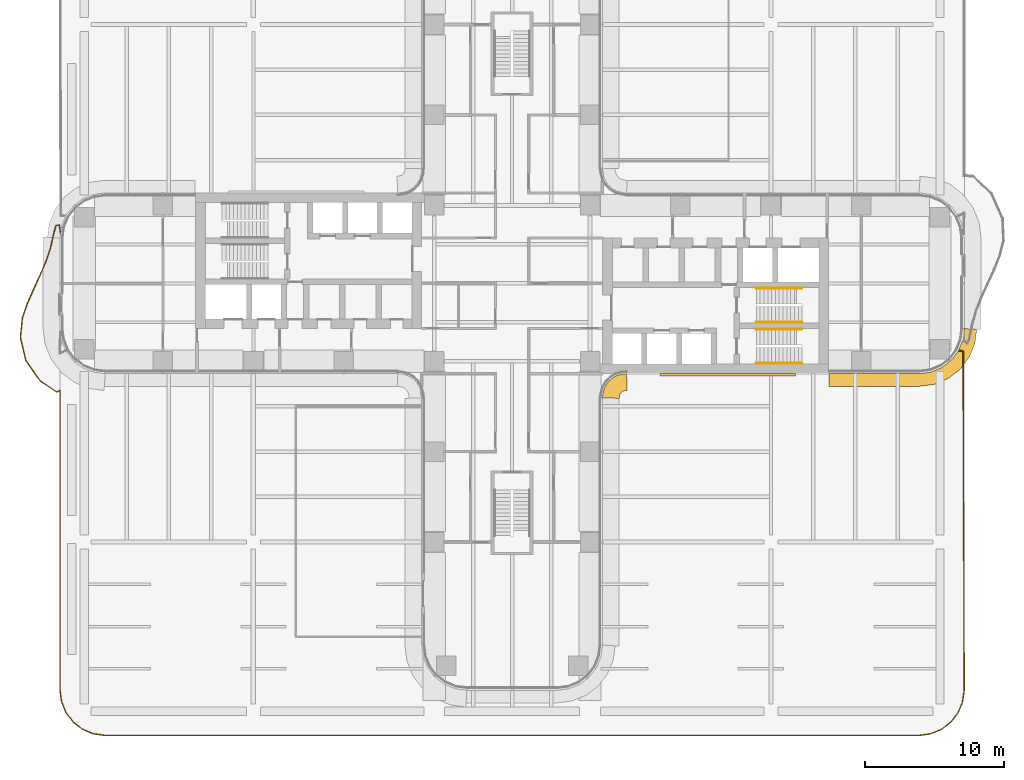
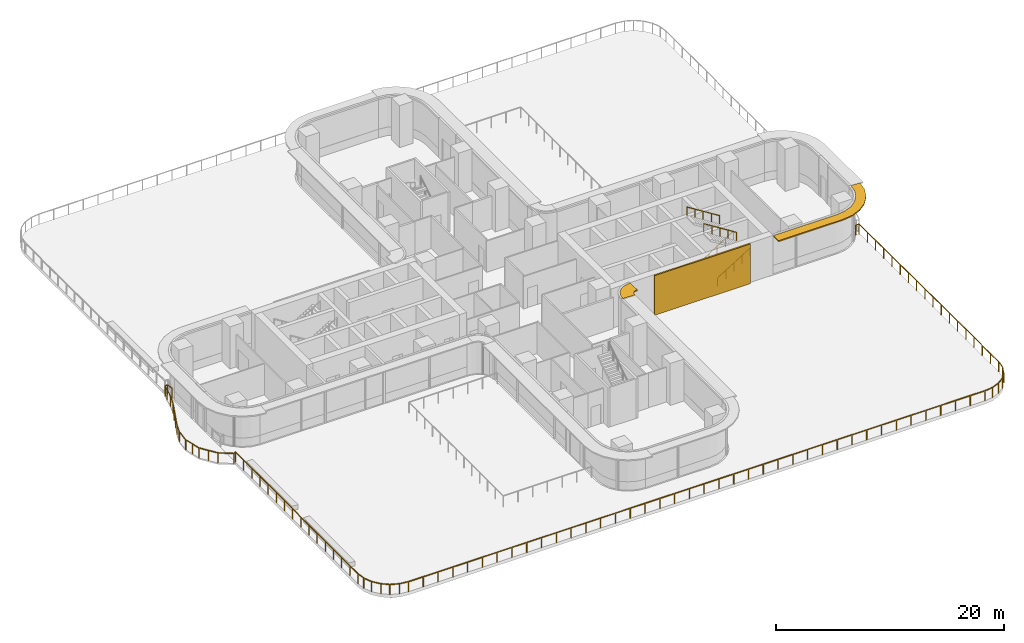
# One storey, part 26 of 29: 5 railings, 2 shading devices, 1 covering.
"""IFC4 building model written with IfcOpenShell, lengths in metres."""

from ifc_helpers import new_model, si_unit, direction, frame, origin, origin_2d, place, context, subcontext, project, spatial, polyline, rectangle, circle, outline, extrude, source, transform, mapped, material, layer, layer_set, type_object, element, save


model = new_model("IFC4")

# Units and contexts
model_context = context("Model", 3, precision=1e-05, world=origin(), true_north=direction((0.0, 1.0)))
body_context = subcontext(model_context, "Body", "Model", "MODEL_VIEW")
ifc_project = project(units=[si_unit("LENGTHUNIT", "METRE"), si_unit("AREAUNIT", "SQUARE_METRE"), si_unit("VOLUMEUNIT", "CUBIC_METRE"), si_unit("PLANEANGLEUNIT", "RADIAN"), si_unit("MASSUNIT", "GRAM", prefix="KILO")], contexts=[model_context])

# Site, building, storey
site_placement = place(None, origin())
site = spatial("IfcSite", under=ifc_project, at=site_placement, CompositionType="ELEMENT")
building_placement = place(site_placement, origin())
building = spatial("IfcBuilding", under=site, at=building_placement, Name="Trellis Farm Tower", CompositionType="ELEMENT")
storey_placement = place(building_placement, frame((0.0, 0.0, 34.0)))
storey = spatial("IfcBuildingStorey", under=building, at=storey_placement, Name="L06", CompositionType="ELEMENT", Elevation=34.0)

# Railings
ifc_material_1 = material(Name="Stainless steel 316", Category="steel")
railing_type_1 = type_object("IfcRailingType", Name="BALUSTRADE GUARD 1100", PredefinedType="GUARDRAIL", material=ifc_material_1)
railing_placement = place(storey_placement, frame((32.078369140625, -4.841552734375, 0.0)))
element("IfcRailing", 1, at=railing_placement, inside=storey, type_object=railing_type_1, Name="GD1 BAL-3", PredefinedType="GUARDRAIL", context=body_context, shape_type="SweptSolid", body=[
    extrude(rectangle(XDim=0.050048828125, YDim=0.050048828125, at=origin_2d()), frame((0.0, 0.0, 1.0751953125), z_axis=(0.998595991784, -0.052972117127, 0.0), x_axis=(0.052972117127, 0.998595991784, 0.0)), (0.0, 0.0, 1.0), 0.341064453125),
    extrude(rectangle(XDim=0.050048828125, YDim=0.050048828125, at=origin_2d()), frame((0.340576171875, -0.01806640625, 1.0751953125), z_axis=(0.003325435357, -0.999994470725, 0.0), x_axis=(0.999994470725, 0.003325435357, 0.0)), (0.0, 0.0, 1.0), 24.374267578125),
    extrude(rectangle(XDim=0.050048828125, YDim=0.050048828125, at=origin_2d()), frame((0.421630859375, -24.39208984375, 1.0751953125), z_axis=(-0.137531262137, -0.990497426516, 0.0), x_axis=(0.990497426516, -0.137531262137, 0.0)), (0.0, 0.0, 1.0), 0.896484375),
    extrude(rectangle(XDim=0.050048828125, YDim=0.050048828125, at=origin_2d()), frame((0.29833984375, -25.280029296875, 1.0751953125), z_axis=(-0.392110431343, -0.919918153768, 0.0), x_axis=(0.919918153768, -0.392110431343, 0.0)), (0.0, 0.0, 1.0), 0.847412109375),
    extrude(rectangle(XDim=0.050048828125, YDim=0.050048828125, at=origin_2d()), frame((-0.033935546875, -26.0595703125, 1.0751953125), z_axis=(-0.616650070044, -0.78723737914, 0.0), x_axis=(0.78723737914, -0.616650070044, 0.0)), (0.0, 0.0, 1.0), 0.84716796875),
    extrude(rectangle(XDim=0.050048828125, YDim=0.050048828125, at=origin_2d()), frame((-0.556396484375, -26.7265625, 1.0751953125), z_axis=(-0.799481118844, -0.600691219023, 0.0), x_axis=(0.600691219023, -0.799481118844, 0.0)), (0.0, 0.0, 1.0), 0.847412109375),
    extrude(rectangle(XDim=0.050048828125, YDim=0.050048828125, at=origin_2d()), frame((-1.23388671875, -27.235595703125, 1.0751953125), z_axis=(-0.927639628134, -0.373476532483, 0.0), x_axis=(0.373476532483, -0.927639628134, 0.0)), (0.0, 0.0, 1.0), 0.84716796875),
    extrude(rectangle(XDim=0.050048828125, YDim=0.050048828125, at=origin_2d()), frame((-2.019775390625, -27.552001953125, 1.0751953125), z_axis=(-0.991777866634, -0.12797133763, 0.0), x_axis=(0.12797133763, -0.991777866634, 0.0)), (0.0, 0.0, 1.0), 0.831787109375),
    extrude(rectangle(XDim=0.050048828125, YDim=0.050048828125, at=origin_2d()), frame((-2.8447265625, -27.658447265625, 1.0751953125), z_axis=(-0.999999999295, 3.7560253e-05, 0.0), x_axis=(-3.7560253e-05, -0.999999999295, 0.0)), (0.0, 0.0, 1.0), 58.499755859375),
    extrude(rectangle(XDim=0.050048828125, YDim=0.050048828125, at=origin_2d()), frame((-61.344482421875, -27.65625, 1.0751953125), z_axis=(-0.990129529827, 0.140155321574, 0.0), x_axis=(-0.140155321574, -0.990129529827, 0.0)), (0.0, 0.0, 1.0), 0.864013671875),
    extrude(rectangle(XDim=0.050048828125, YDim=0.050048828125, at=origin_2d()), frame((-62.199951171875, -27.53515625, 1.0751953125), z_axis=(-0.919918153768, 0.392110431343, 0.0), x_axis=(-0.392110431343, -0.919918153768, 0.0)), (0.0, 0.0, 1.0), 0.847412109375),
    extrude(rectangle(XDim=0.050048828125, YDim=0.050048828125, at=origin_2d()), frame((-62.9794921875, -27.202880859375, 1.0751953125), z_axis=(-0.793400430463, 0.608700054987, 0.0), x_axis=(-0.608700054987, -0.793400430463, 0.0)), (0.0, 0.0, 1.0), 0.782470703125),
    extrude(rectangle(XDim=0.050048828125, YDim=0.050048828125, at=origin_2d()), frame((-63.600341796875, -26.7265625, 1.0751953125), z_axis=(-0.608701247669, 0.793399515431, 0.0), x_axis=(-0.793399515431, -0.608701247669, 0.0)), (0.0, 0.0, 1.0), 0.912109375),
    extrude(rectangle(XDim=0.050048828125, YDim=0.050048828125, at=origin_2d()), frame((-64.155517578125, -26.0029296875, 1.0751953125), z_axis=(-0.373476532483, 0.927639628134, 0.0), x_axis=(-0.927639628134, -0.373476532483, 0.0)), (0.0, 0.0, 1.0), 0.84716796875),
    extrude(rectangle(XDim=0.050048828125, YDim=0.050048828125, at=origin_2d()), frame((-64.471923828125, -25.217041015625, 1.0751953125), z_axis=(-0.12797133763, 0.991777866634, 0.0), x_axis=(-0.991777866634, -0.12797133763, 0.0)), (0.0, 0.0, 1.0), 0.831787109375),
    extrude(rectangle(XDim=0.050048828125, YDim=0.050048828125, at=origin_2d()), frame((-64.578369140625, -24.39208984375, 1.0751953125), z_axis=(0.0, 1.0, 0.0), x_axis=(-1.0, 0.0, 0.0)), (0.0, 0.0, 1.0), 21.533447265625),
    extrude(rectangle(XDim=0.050048828125, YDim=0.050048828125, at=origin_2d()), frame((-64.578369140625, -2.858642578125, 1.0751953125), z_axis=(-0.899465763233, -0.436991236492, 0.0), x_axis=(0.436991236492, -0.899465763233, 0.0)), (0.0, 0.0, 1.0), 0.2587890625),
    extrude(rectangle(XDim=0.050048828125, YDim=0.050048828125, at=origin_2d()), frame((-64.81103515625, -2.9716796875, 1.0751953125), z_axis=(-0.834417948085, 0.551132187332, 0.0), x_axis=(-0.551132187332, -0.834417948085, 0.0)), (0.0, 0.0, 1.0), 1.4072265625),
    extrude(rectangle(XDim=0.050048828125, YDim=0.050048828125, at=origin_2d()), frame((-65.9853515625, -2.196044921875, 1.0751953125), z_axis=(-0.579537739556, 0.814945402116, 0.0), x_axis=(-0.814945402116, -0.579537739556, 0.0)), (0.0, 0.0, 1.0), 1.8076171875),
    extrude(rectangle(XDim=0.050048828125, YDim=0.050048828125, at=origin_2d()), frame((-67.032958984375, -0.722900390625, 1.0751953125), z_axis=(-0.228269361027, 0.973598017056, 0.0), x_axis=(-0.973598017056, -0.228269361027, 0.0)), (0.0, 0.0, 1.0), 1.71435546875),
    extrude(rectangle(XDim=0.050048828125, YDim=0.050048828125, at=origin_2d()), frame((-67.42431640625, 0.9462890625, 1.0751953125), z_axis=(0.097794867576, 0.995206593565, 0.0), x_axis=(-0.995206593565, 0.097794867576, 0.0)), (0.0, 0.0, 1.0), 1.400390625),
    extrude(rectangle(XDim=0.050048828125, YDim=0.050048828125, at=origin_2d()), frame((-67.287353515625, 2.340087890625, 1.0751953125), z_axis=(0.320734521289, 0.947169133182, 0.0), x_axis=(-0.947169133182, 0.320734521289, 0.0)), (0.0, 0.0, 1.0), 1.07177734375),
    extrude(rectangle(XDim=0.050048828125, YDim=0.050048828125, at=origin_2d()), frame((-66.943603515625, 3.355224609375, 1.0751953125), z_axis=(0.408032248625, 0.912967515349, 0.0), x_axis=(-0.912967515349, 0.408032248625, 0.0)), (0.0, 0.0, 1.0), 3.287841796875),
    extrude(rectangle(XDim=0.050048828125, YDim=0.050048828125, at=origin_2d()), frame((-65.60205078125, 6.35693359375, 1.0751953125), z_axis=(0.321574587761, 0.946884250849, 0.0), x_axis=(-0.946884250849, 0.321574587761, 0.0)), (0.0, 0.0, 1.0), 1.0537109375),
    extrude(rectangle(XDim=0.050048828125, YDim=0.050048828125, at=origin_2d()), frame((-65.26318359375, 7.354736328125, 1.0751953125), z_axis=(0.21777368267, 0.975999294639, 0.0), x_axis=(-0.975999294639, 0.21777368267, 0.0)), (0.0, 0.0, 1.0), 1.07275390625),
    extrude(rectangle(XDim=0.050048828125, YDim=0.050048828125, at=origin_2d()), frame((-65.029541015625, 8.40185546875, 1.0751953125), z_axis=(0.259682438219, 0.965694067125, 0.0), x_axis=(-0.965694067125, 0.259682438219, 0.0)), (0.0, 0.0, 1.0), 0.601806640625),
    extrude(rectangle(XDim=0.050048828125, YDim=0.050048828125, at=origin_2d()), frame((-64.873291015625, 8.98291015625, 1.0751953125), z_axis=(0.973922781385, 0.226879738845, 0.0), x_axis=(-0.226879738845, 0.973922781385, 0.0)), (0.0, 0.0, 1.0), 0.2646484375),
    extrude(rectangle(XDim=0.050048828125, YDim=0.050048828125, at=origin_2d()), frame((-64.615478515625, 9.04296875, 1.0751953125), z_axis=(0.117468691226, -0.993076586463, 0.0), x_axis=(0.993076586463, 0.117468691226, 0.0)), (0.0, 0.0, 1.0), 0.65478515625),
    extrude(rectangle(XDim=0.0400390625, YDim=0.0400390625, at=origin_2d()), origin(), (0.0, 0.0, 1.0), 1.050048828125),
    extrude(rectangle(XDim=0.0400390625, YDim=0.0400390625, at=origin_2d()), frame((0.340576171875, -0.01806640625, 0.0)), (0.0, 0.0, 1.0), 1.050048828125),
    extrude(rectangle(XDim=0.0400390625, YDim=0.0400390625, at=origin_2d()), frame((0.345458984375, -1.451904296875, 0.0)), (0.0, 0.0, 1.0), 1.050048828125),
    extrude(rectangle(XDim=0.0400390625, YDim=0.0400390625, at=origin_2d()), frame((0.35009765625, -2.885498046875, 0.0)), (0.0, 0.0, 1.0), 1.050048828125),
    extrude(rectangle(XDim=0.0400390625, YDim=0.0400390625, at=origin_2d()), frame((0.35498046875, -4.3193359375, 0.0)), (0.0, 0.0, 1.0), 1.050048828125),
    extrude(rectangle(XDim=0.0400390625, YDim=0.0400390625, at=origin_2d()), frame((0.359619140625, -5.753173828125, 0.0)), (0.0, 0.0, 1.0), 1.050048828125),
    extrude(rectangle(XDim=0.0400390625, YDim=0.0400390625, at=origin_2d()), frame((0.364501953125, -7.18701171875, 0.0)), (0.0, 0.0, 1.0), 1.050048828125),
    extrude(rectangle(XDim=0.0400390625, YDim=0.0400390625, at=origin_2d()), frame((0.369140625, -8.62060546875, 0.0)), (0.0, 0.0, 1.0), 1.050048828125),
    extrude(rectangle(XDim=0.0400390625, YDim=0.0400390625, at=origin_2d()), frame((0.3740234375, -10.054443359375, 0.0)), (0.0, 0.0, 1.0), 1.050048828125),
    extrude(rectangle(XDim=0.0400390625, YDim=0.0400390625, at=origin_2d()), frame((0.378662109375, -11.48828125, 0.0)), (0.0, 0.0, 1.0), 1.050048828125),
    extrude(rectangle(XDim=0.0400390625, YDim=0.0400390625, at=origin_2d()), frame((0.383544921875, -12.921875, 0.0)), (0.0, 0.0, 1.0), 1.050048828125),
    extrude(rectangle(XDim=0.0400390625, YDim=0.0400390625, at=origin_2d()), frame((0.38818359375, -14.355712890625, 0.0)), (0.0, 0.0, 1.0), 1.050048828125),
    extrude(rectangle(XDim=0.0400390625, YDim=0.0400390625, at=origin_2d()), frame((0.39306640625, -15.78955078125, 0.0)), (0.0, 0.0, 1.0), 1.050048828125),
    extrude(rectangle(XDim=0.0400390625, YDim=0.0400390625, at=origin_2d()), frame((0.397705078125, -17.22314453125, 0.0)), (0.0, 0.0, 1.0), 1.050048828125),
    extrude(rectangle(XDim=0.0400390625, YDim=0.0400390625, at=origin_2d()), frame((0.402587890625, -18.656982421875, 0.0)), (0.0, 0.0, 1.0), 1.050048828125),
    extrude(rectangle(XDim=0.0400390625, YDim=0.0400390625, at=origin_2d()), frame((0.4072265625, -20.0908203125, 0.0)), (0.0, 0.0, 1.0), 1.050048828125),
    extrude(rectangle(XDim=0.0400390625, YDim=0.0400390625, at=origin_2d()), frame((0.412109375, -21.524658203125, 0.0)), (0.0, 0.0, 1.0), 1.050048828125),
    extrude(rectangle(XDim=0.0400390625, YDim=0.0400390625, at=origin_2d()), frame((0.416748046875, -22.958251953125, 0.0)), (0.0, 0.0, 1.0), 1.050048828125),
    extrude(rectangle(XDim=0.0400390625, YDim=0.0400390625, at=origin_2d()), frame((0.421630859375, -24.39208984375, 0.0)), (0.0, 0.0, 1.0), 1.050048828125),
    extrude(rectangle(XDim=0.0400390625, YDim=0.0400390625, at=origin_2d()), frame((0.29833984375, -25.280029296875, 0.0)), (0.0, 0.0, 1.0), 1.050048828125),
    extrude(rectangle(XDim=0.0400390625, YDim=0.0400390625, at=origin_2d()), frame((-0.033935546875, -26.0595703125, 0.0)), (0.0, 0.0, 1.0), 1.050048828125),
    extrude(rectangle(XDim=0.0400390625, YDim=0.0400390625, at=origin_2d()), frame((-0.556396484375, -26.7265625, 0.0)), (0.0, 0.0, 1.0), 1.050048828125),
    extrude(rectangle(XDim=0.0400390625, YDim=0.0400390625, at=origin_2d()), frame((-1.23388671875, -27.235595703125, 0.0)), (0.0, 0.0, 1.0), 1.050048828125),
    extrude(rectangle(XDim=0.0400390625, YDim=0.0400390625, at=origin_2d()), frame((-2.019775390625, -27.552001953125, 0.0)), (0.0, 0.0, 1.0), 1.050048828125),
    extrude(rectangle(XDim=0.0400390625, YDim=0.0400390625, at=origin_2d()), frame((-2.8447265625, -27.658447265625, 0.0)), (0.0, 0.0, 1.0), 1.050048828125),
    extrude(rectangle(XDim=0.0400390625, YDim=0.0400390625, at=origin_2d()), frame((-4.3447265625, -27.658447265625, 0.0)), (0.0, 0.0, 1.0), 1.050048828125),
    extrude(rectangle(XDim=0.0400390625, YDim=0.0400390625, at=origin_2d()), frame((-5.8447265625, -27.658447265625, 0.0)), (0.0, 0.0, 1.0), 1.050048828125),
    extrude(rectangle(XDim=0.0400390625, YDim=0.0400390625, at=origin_2d()), frame((-7.3447265625, -27.658203125, 0.0)), (0.0, 0.0, 1.0), 1.050048828125),
    extrude(rectangle(XDim=0.0400390625, YDim=0.0400390625, at=origin_2d()), frame((-8.8447265625, -27.658203125, 0.0)), (0.0, 0.0, 1.0), 1.050048828125),
    extrude(rectangle(XDim=0.0400390625, YDim=0.0400390625, at=origin_2d()), frame((-10.3447265625, -27.658203125, 0.0)), (0.0, 0.0, 1.0), 1.050048828125),
    extrude(rectangle(XDim=0.0400390625, YDim=0.0400390625, at=origin_2d()), frame((-11.8447265625, -27.658203125, 0.0)), (0.0, 0.0, 1.0), 1.050048828125),
    extrude(rectangle(XDim=0.0400390625, YDim=0.0400390625, at=origin_2d()), frame((-13.3447265625, -27.657958984375, 0.0)), (0.0, 0.0, 1.0), 1.050048828125),
    extrude(rectangle(XDim=0.0400390625, YDim=0.0400390625, at=origin_2d()), frame((-14.8447265625, -27.657958984375, 0.0)), (0.0, 0.0, 1.0), 1.050048828125),
    extrude(rectangle(XDim=0.0400390625, YDim=0.0400390625, at=origin_2d()), frame((-16.3447265625, -27.657958984375, 0.0)), (0.0, 0.0, 1.0), 1.050048828125),
    extrude(rectangle(XDim=0.0400390625, YDim=0.0400390625, at=origin_2d()), frame((-17.8447265625, -27.657958984375, 0.0)), (0.0, 0.0, 1.0), 1.050048828125),
    extrude(rectangle(XDim=0.0400390625, YDim=0.0400390625, at=origin_2d()), frame((-19.3447265625, -27.65771484375, 0.0)), (0.0, 0.0, 1.0), 1.050048828125),
    extrude(rectangle(XDim=0.0400390625, YDim=0.0400390625, at=origin_2d()), frame((-20.8447265625, -27.65771484375, 0.0)), (0.0, 0.0, 1.0), 1.050048828125),
    extrude(rectangle(XDim=0.0400390625, YDim=0.0400390625, at=origin_2d()), frame((-22.3447265625, -27.65771484375, 0.0)), (0.0, 0.0, 1.0), 1.050048828125),
    extrude(rectangle(XDim=0.0400390625, YDim=0.0400390625, at=origin_2d()), frame((-23.8447265625, -27.65771484375, 0.0)), (0.0, 0.0, 1.0), 1.050048828125),
    extrude(rectangle(XDim=0.0400390625, YDim=0.0400390625, at=origin_2d()), frame((-25.3447265625, -27.65771484375, 0.0)), (0.0, 0.0, 1.0), 1.050048828125),
    extrude(rectangle(XDim=0.0400390625, YDim=0.0400390625, at=origin_2d()), frame((-26.8447265625, -27.657470703125, 0.0)), (0.0, 0.0, 1.0), 1.050048828125),
    extrude(rectangle(XDim=0.0400390625, YDim=0.0400390625, at=origin_2d()), frame((-28.3447265625, -27.657470703125, 0.0)), (0.0, 0.0, 1.0), 1.050048828125),
    extrude(rectangle(XDim=0.0400390625, YDim=0.0400390625, at=origin_2d()), frame((-29.8447265625, -27.657470703125, 0.0)), (0.0, 0.0, 1.0), 1.050048828125),
    extrude(rectangle(XDim=0.0400390625, YDim=0.0400390625, at=origin_2d()), frame((-31.3447265625, -27.657470703125, 0.0)), (0.0, 0.0, 1.0), 1.050048828125),
    extrude(rectangle(XDim=0.0400390625, YDim=0.0400390625, at=origin_2d()), frame((-32.844482421875, -27.6572265625, 0.0)), (0.0, 0.0, 1.0), 1.050048828125),
    extrude(rectangle(XDim=0.0400390625, YDim=0.0400390625, at=origin_2d()), frame((-34.344482421875, -27.6572265625, 0.0)), (0.0, 0.0, 1.0), 1.050048828125),
    extrude(rectangle(XDim=0.0400390625, YDim=0.0400390625, at=origin_2d()), frame((-35.844482421875, -27.6572265625, 0.0)), (0.0, 0.0, 1.0), 1.050048828125),
    extrude(rectangle(XDim=0.0400390625, YDim=0.0400390625, at=origin_2d()), frame((-37.344482421875, -27.6572265625, 0.0)), (0.0, 0.0, 1.0), 1.050048828125),
    extrude(rectangle(XDim=0.0400390625, YDim=0.0400390625, at=origin_2d()), frame((-38.844482421875, -27.656982421875, 0.0)), (0.0, 0.0, 1.0), 1.050048828125),
    extrude(rectangle(XDim=0.0400390625, YDim=0.0400390625, at=origin_2d()), frame((-40.344482421875, -27.656982421875, 0.0)), (0.0, 0.0, 1.0), 1.050048828125),
    extrude(rectangle(XDim=0.0400390625, YDim=0.0400390625, at=origin_2d()), frame((-41.844482421875, -27.656982421875, 0.0)), (0.0, 0.0, 1.0), 1.050048828125),
    extrude(rectangle(XDim=0.0400390625, YDim=0.0400390625, at=origin_2d()), frame((-43.344482421875, -27.656982421875, 0.0)), (0.0, 0.0, 1.0), 1.050048828125),
    extrude(rectangle(XDim=0.0400390625, YDim=0.0400390625, at=origin_2d()), frame((-44.844482421875, -27.656982421875, 0.0)), (0.0, 0.0, 1.0), 1.050048828125),
    extrude(rectangle(XDim=0.0400390625, YDim=0.0400390625, at=origin_2d()), frame((-46.344482421875, -27.65673828125, 0.0)), (0.0, 0.0, 1.0), 1.050048828125),
    extrude(rectangle(XDim=0.0400390625, YDim=0.0400390625, at=origin_2d()), frame((-47.844482421875, -27.65673828125, 0.0)), (0.0, 0.0, 1.0), 1.050048828125),
    extrude(rectangle(XDim=0.0400390625, YDim=0.0400390625, at=origin_2d()), frame((-49.344482421875, -27.65673828125, 0.0)), (0.0, 0.0, 1.0), 1.050048828125),
    extrude(rectangle(XDim=0.0400390625, YDim=0.0400390625, at=origin_2d()), frame((-50.844482421875, -27.65673828125, 0.0)), (0.0, 0.0, 1.0), 1.050048828125),
    extrude(rectangle(XDim=0.0400390625, YDim=0.0400390625, at=origin_2d()), frame((-52.344482421875, -27.656494140625, 0.0)), (0.0, 0.0, 1.0), 1.050048828125),
    extrude(rectangle(XDim=0.0400390625, YDim=0.0400390625, at=origin_2d()), frame((-53.844482421875, -27.656494140625, 0.0)), (0.0, 0.0, 1.0), 1.050048828125),
    extrude(rectangle(XDim=0.0400390625, YDim=0.0400390625, at=origin_2d()), frame((-55.344482421875, -27.656494140625, 0.0)), (0.0, 0.0, 1.0), 1.050048828125),
    extrude(rectangle(XDim=0.0400390625, YDim=0.0400390625, at=origin_2d()), frame((-56.844482421875, -27.656494140625, 0.0)), (0.0, 0.0, 1.0), 1.050048828125),
    extrude(rectangle(XDim=0.0400390625, YDim=0.0400390625, at=origin_2d()), frame((-58.344482421875, -27.65625, 0.0)), (0.0, 0.0, 1.0), 1.050048828125),
    extrude(rectangle(XDim=0.0400390625, YDim=0.0400390625, at=origin_2d()), frame((-59.844482421875, -27.65625, 0.0)), (0.0, 0.0, 1.0), 1.050048828125),
    extrude(rectangle(XDim=0.0400390625, YDim=0.0400390625, at=origin_2d()), frame((-61.344482421875, -27.65625, 0.0)), (0.0, 0.0, 1.0), 1.050048828125),
    extrude(rectangle(XDim=0.0400390625, YDim=0.0400390625, at=origin_2d()), frame((-62.199951171875, -27.53515625, 0.0)), (0.0, 0.0, 1.0), 1.050048828125),
    extrude(rectangle(XDim=0.0400390625, YDim=0.0400390625, at=origin_2d()), frame((-62.9794921875, -27.202880859375, 0.0)), (0.0, 0.0, 1.0), 1.050048828125),
    extrude(rectangle(XDim=0.0400390625, YDim=0.0400390625, at=origin_2d()), frame((-63.600341796875, -26.7265625, 0.0)), (0.0, 0.0, 1.0), 1.050048828125),
    extrude(rectangle(XDim=0.0400390625, YDim=0.0400390625, at=origin_2d()), frame((-64.155517578125, -26.0029296875, 0.0)), (0.0, 0.0, 1.0), 1.050048828125),
    extrude(rectangle(XDim=0.0400390625, YDim=0.0400390625, at=origin_2d()), frame((-64.471923828125, -25.217041015625, 0.0)), (0.0, 0.0, 1.0), 1.050048828125),
    extrude(rectangle(XDim=0.0400390625, YDim=0.0400390625, at=origin_2d()), frame((-64.578369140625, -24.39208984375, 0.0)), (0.0, 0.0, 1.0), 1.050048828125),
    extrude(rectangle(XDim=0.0400390625, YDim=0.0400390625, at=origin_2d()), frame((-64.578369140625, -22.95654296875, 0.0)), (0.0, 0.0, 1.0), 1.050048828125),
    extrude(rectangle(XDim=0.0400390625, YDim=0.0400390625, at=origin_2d()), frame((-64.578369140625, -21.52099609375, 0.0)), (0.0, 0.0, 1.0), 1.050048828125),
    extrude(rectangle(XDim=0.0400390625, YDim=0.0400390625, at=origin_2d()), frame((-64.578369140625, -20.08544921875, 0.0)), (0.0, 0.0, 1.0), 1.050048828125),
    extrude(rectangle(XDim=0.0400390625, YDim=0.0400390625, at=origin_2d()), frame((-64.578369140625, -18.64990234375, 0.0)), (0.0, 0.0, 1.0), 1.050048828125),
    extrude(rectangle(XDim=0.0400390625, YDim=0.0400390625, at=origin_2d()), frame((-64.578369140625, -17.21435546875, 0.0)), (0.0, 0.0, 1.0), 1.050048828125),
    extrude(rectangle(XDim=0.0400390625, YDim=0.0400390625, at=origin_2d()), frame((-64.578369140625, -15.77880859375, 0.0)), (0.0, 0.0, 1.0), 1.050048828125),
    extrude(rectangle(XDim=0.0400390625, YDim=0.0400390625, at=origin_2d()), frame((-64.578369140625, -14.34326171875, 0.0)), (0.0, 0.0, 1.0), 1.050048828125),
    extrude(rectangle(XDim=0.0400390625, YDim=0.0400390625, at=origin_2d()), frame((-64.578369140625, -12.907470703125, 0.0)), (0.0, 0.0, 1.0), 1.050048828125),
    extrude(rectangle(XDim=0.0400390625, YDim=0.0400390625, at=origin_2d()), frame((-64.578369140625, -11.471923828125, 0.0)), (0.0, 0.0, 1.0), 1.050048828125),
    extrude(rectangle(XDim=0.0400390625, YDim=0.0400390625, at=origin_2d()), frame((-64.578369140625, -10.036376953125, 0.0)), (0.0, 0.0, 1.0), 1.050048828125),
    extrude(rectangle(XDim=0.0400390625, YDim=0.0400390625, at=origin_2d()), frame((-64.578369140625, -8.600830078125, 0.0)), (0.0, 0.0, 1.0), 1.050048828125),
    extrude(rectangle(XDim=0.0400390625, YDim=0.0400390625, at=origin_2d()), frame((-64.578369140625, -7.165283203125, 0.0)), (0.0, 0.0, 1.0), 1.050048828125),
    extrude(rectangle(XDim=0.0400390625, YDim=0.0400390625, at=origin_2d()), frame((-64.578369140625, -5.729736328125, 0.0)), (0.0, 0.0, 1.0), 1.050048828125),
    extrude(rectangle(XDim=0.0400390625, YDim=0.0400390625, at=origin_2d()), frame((-64.578369140625, -4.294189453125, 0.0)), (0.0, 0.0, 1.0), 1.050048828125),
    extrude(rectangle(XDim=0.0400390625, YDim=0.0400390625, at=origin_2d()), frame((-64.578369140625, -2.858642578125, 0.0)), (0.0, 0.0, 1.0), 1.050048828125),
    extrude(rectangle(XDim=0.0400390625, YDim=0.0400390625, at=origin_2d()), frame((-64.81103515625, -2.9716796875, 0.0)), (0.0, 0.0, 1.0), 1.050048828125),
    extrude(rectangle(XDim=0.0400390625, YDim=0.0400390625, at=origin_2d()), frame((-65.9853515625, -2.196044921875, 0.0)), (0.0, 0.0, 1.0), 1.050048828125),
    extrude(rectangle(XDim=0.0400390625, YDim=0.0400390625, at=origin_2d()), frame((-66.50927734375, -1.45947265625, 0.0)), (0.0, 0.0, 1.0), 1.050048828125),
    extrude(rectangle(XDim=0.0400390625, YDim=0.0400390625, at=origin_2d()), frame((-67.032958984375, -0.722900390625, 0.0)), (0.0, 0.0, 1.0), 1.050048828125),
    extrude(rectangle(XDim=0.0400390625, YDim=0.0400390625, at=origin_2d()), frame((-67.228515625, 0.11181640625, 0.0)), (0.0, 0.0, 1.0), 1.050048828125),
    extrude(rectangle(XDim=0.0400390625, YDim=0.0400390625, at=origin_2d()), frame((-67.42431640625, 0.9462890625, 0.0)), (0.0, 0.0, 1.0), 1.050048828125),
    extrude(rectangle(XDim=0.0400390625, YDim=0.0400390625, at=origin_2d()), frame((-67.287353515625, 2.340087890625, 0.0)), (0.0, 0.0, 1.0), 1.050048828125),
    extrude(rectangle(XDim=0.0400390625, YDim=0.0400390625, at=origin_2d()), frame((-66.943603515625, 3.355224609375, 0.0)), (0.0, 0.0, 1.0), 1.050048828125),
    extrude(rectangle(XDim=0.0400390625, YDim=0.0400390625, at=origin_2d()), frame((-66.496337890625, 4.355712890625, 0.0)), (0.0, 0.0, 1.0), 1.050048828125),
    extrude(rectangle(XDim=0.0400390625, YDim=0.0400390625, at=origin_2d()), frame((-66.04931640625, 5.3564453125, 0.0)), (0.0, 0.0, 1.0), 1.050048828125),
    extrude(rectangle(XDim=0.0400390625, YDim=0.0400390625, at=origin_2d()), frame((-65.60205078125, 6.35693359375, 0.0)), (0.0, 0.0, 1.0), 1.050048828125),
    extrude(rectangle(XDim=0.0400390625, YDim=0.0400390625, at=origin_2d()), frame((-65.26318359375, 7.354736328125, 0.0)), (0.0, 0.0, 1.0), 1.050048828125),
    extrude(rectangle(XDim=0.0400390625, YDim=0.0400390625, at=origin_2d()), frame((-65.029541015625, 8.40185546875, 0.0)), (0.0, 0.0, 1.0), 1.050048828125),
    extrude(rectangle(XDim=0.0400390625, YDim=0.0400390625, at=origin_2d()), frame((-64.873291015625, 8.98291015625, 0.0)), (0.0, 0.0, 1.0), 1.050048828125),
    extrude(rectangle(XDim=0.0400390625, YDim=0.0400390625, at=origin_2d()), frame((-64.615478515625, 9.04296875, 0.0)), (0.0, 0.0, 1.0), 1.050048828125),
    extrude(rectangle(XDim=0.0400390625, YDim=0.0400390625, at=origin_2d()), frame((-64.53857421875, 8.392822265625, 0.0)), (0.0, 0.0, 1.0), 1.050048828125),
])
ifc_material_2 = material(Name="Stainless steel", Category="steel")
railing_type_2 = type_object("IfcRailingType", Name="STAIR HANDRAIL 900", PredefinedType="HANDRAIL", material=ifc_material_2)
shared_shape_1 = source(origin(), body_context, "Body", "SweptSolid", [
    extrude(circle(Radius=0.02392578125, at=origin_2d()), frame((0.0, 0.0, 0.8759765625), z_axis=(0.846337383501, 0.0, 0.532647194011), x_axis=(0.0, 1.0, 0.0)), (0.0, 0.0, 1.0), 3.899169921875),
    extrude(circle(Radius=0.02099609375, at=origin_2d()), origin(), (0.0, 0.0, 1.0), 0.851806640625),
    extrude(circle(Radius=0.02099609375, at=origin_2d()), frame((0.824951171875, 0.0, 0.519287109375)), (0.0, 0.0, 1.0), 0.851806640625),
    extrude(circle(Radius=0.02099609375, at=origin_2d()), frame((1.64990234375, 0.0, 1.03857421875)), (0.0, 0.0, 1.0), 0.851806640625),
    extrude(circle(Radius=0.02099609375, at=origin_2d()), frame((2.47509765625, 0.0, 1.5576171875)), (0.0, 0.0, 1.0), 0.851806640625),
    extrude(circle(Radius=0.02099609375, at=origin_2d()), frame((3.300048828125, 0.0, 2.076904296875)), (0.0, 0.0, 1.0), 0.851806640625),
])
for number, where, name in (
    (2, (17.550048828125, -5.75, 0.173095703125), "Stair handrail"),
    (3, (17.550048828125, -2.800048828125, 0.173095703125), "Stair handrail"),
):
    element("IfcRailing", number, at=place(storey_placement, frame(where)), inside=storey, type_object=railing_type_2, Name=name, PredefinedType="HANDRAIL", context=body_context, shape_type="MappedRepresentation", body=[
        mapped(shared_shape_1, transform((0.0, 0.0, 0.0))),
    ])
shared_shape_2 = source(origin(), body_context, "Body", "SweptSolid", [
    extrude(circle(Radius=0.02392578125, at=origin_2d()), frame((0.0, 0.0, 0.8759765625), z_axis=(-0.846337383501, 0.0, 0.532647194011), x_axis=(0.0, -1.0, 0.0)), (0.0, 0.0, 1.0), 3.899169921875),
    extrude(circle(Radius=0.02099609375, at=origin_2d()), origin(), (0.0, 0.0, 1.0), 0.851806640625),
    extrude(circle(Radius=0.02099609375, at=origin_2d()), frame((-0.824951171875, 0.0, 0.519287109375)), (0.0, 0.0, 1.0), 0.851806640625),
    extrude(circle(Radius=0.02099609375, at=origin_2d()), frame((-1.64990234375, 0.0, 1.03857421875)), (0.0, 0.0, 1.0), 0.851806640625),
    extrude(circle(Radius=0.02099609375, at=origin_2d()), frame((-2.47509765625, 0.0, 1.5576171875)), (0.0, 0.0, 1.0), 0.851806640625),
    extrude(circle(Radius=0.02099609375, at=origin_2d()), frame((-3.300048828125, 0.0, 2.076904296875)), (0.0, 0.0, 1.0), 0.851806640625),
])
for number, where, name in (
    (4, (20.85009765625, -3.300048828125, 2.423095703125), "Stair handrail"),
    (5, (20.85009765625, -0.35009765625, 2.423095703125), "Stair handrail"),
):
    element("IfcRailing", number, at=place(storey_placement, frame(where)), inside=storey, type_object=railing_type_2, Name=name, PredefinedType="HANDRAIL", context=body_context, shape_type="MappedRepresentation", body=[
        mapped(shared_shape_2, transform((0.0, 0.0, 0.0))),
    ])

# Shading devices
ifc_material_3 = material(Name="Aluminium extrusion 6063-T6", Category="aluminium")
ifc_layer_1 = layer(ifc_material_3, 0.1201171875)
ifc_layer_set_1 = layer_set([ifc_layer_1], Name="SUNSHADE BLADE 1200")
shading_device_type_1 = type_object("IfcShadingDeviceType", Name="SUNSHADE BLADE 1200", PredefinedType="USERDEFINED", material=ifc_layer_set_1)
shared_shape_3 = source(origin(), body_context, "Body", "SweptSolid", [
    extrude(outline(polyline([(7.699951171875, -8.270751953125), (7.708740234375, -8.13720703125), (7.70703125, -8.150146484375), (7.7548828125, -7.9716796875), (7.80712890625, -7.881103515625), (7.881103515625, -7.80712890625), (7.9716796875, -7.7548828125), (8.150146484375, -7.70703125), (8.13720703125, -7.708740234375), (8.270751953125, -7.699951171875), (8.2314453125, -6.5), (8.01953125, -6.513916015625), (7.91552734375, -6.527587890625), (7.508544921875, -6.63671875), (7.144287109375, -6.846923828125), (6.846923828125, -7.144287109375), (6.63671875, -7.508544921875), (6.527587890625, -7.91552734375), (6.513916015625, -8.01953125), (6.5, -8.2314453125), (7.699951171875, -8.270751953125)])), origin(), (0.0, 0.0, 1.0), 0.119873046875),
])
placement = place(storey_placement, frame((0.0, 0.0, 4.090087890625)))
element("IfcShadingDevice", 6, at=placement, inside=storey, type_object=shading_device_type_1, Name="SD2 006", ObjectType="SUNSHADE", PredefinedType="USERDEFINED", context=body_context, shape_type="MappedRepresentation", body=[
    mapped(shared_shape_3, transform((0.0, 0.0, 0.0))),
])
ifc_layer_2 = layer(ifc_material_3, 0.1201171875)
ifc_layer_set_2 = layer_set([ifc_layer_2], Name="SUNSHADE BLADE 900")
shading_device_type_2 = type_object("IfcShadingDeviceType", Name="SUNSHADE BLADE 900", PredefinedType="USERDEFINED", material=ifc_layer_set_2)
shared_shape_4 = source(origin(), body_context, "Body", "SweptSolid", [
    extrude(outline(polyline([(22.780029296875, -7.39990234375), (29.30908203125, -7.39990234375), (30.326171875, -7.26611328125), (31.328857421875, -6.850830078125), (32.18994140625, -6.18994140625), (32.850830078125, -5.328857421875), (33.26611328125, -4.326171875), (33.39990234375, -3.30908203125), (32.5, -3.25), (32.38916015625, -4.091064453125), (32.064697265625, -4.875), (31.548095703125, -5.548095703125), (30.875, -6.064697265625), (30.091064453125, -6.38916015625), (29.25, -6.5), (22.780029296875, -6.5), (22.780029296875, -7.39990234375)])), origin(), (0.0, 0.0, 1.0), 0.119873046875),
])
element("IfcShadingDevice", 7, at=placement, inside=storey, type_object=shading_device_type_2, Name="SD1 007", ObjectType="SUNSHADE", PredefinedType="USERDEFINED", context=body_context, shape_type="MappedRepresentation", body=[
    mapped(shared_shape_4, transform((0.0, 0.0, 0.0))),
])

# Covering
ifc_material_4 = material(Name="Perforated precast screen (cobogo)", Category="concrete")
ifc_layer_3 = layer(ifc_material_4, 0.14990234375)
ifc_layer_set_3 = layer_set([ifc_layer_3], Name="COBOGO SCREEN PANEL")
covering_type = type_object("IfcCoveringType", Name="COBOGO SCREEN PANEL", PredefinedType="USERDEFINED", material=ifc_layer_set_3)
shared_shape_5 = source(origin(), body_context, "Body", "SweptSolid", [
    extrude(outline(polyline([(10.630615234375, -6.64990234375), (20.380615234375, -6.64990234375), (20.380615234375, -6.5), (10.630615234375, -6.5), (10.630615234375, -6.64990234375)])), origin(), (0.0, 0.0, 1.0), 4.25),
])
covering_placement = place(storey_placement, origin())
element("IfcCovering", 8, at=covering_placement, inside=storey, type_object=covering_type, Name="SC1 01", ObjectType="SCREEN", PredefinedType="USERDEFINED", context=body_context, shape_type="MappedRepresentation", body=[
    mapped(shared_shape_5, transform((0.0, 0.0, 0.0))),
])

save(model, "model.ifc")
